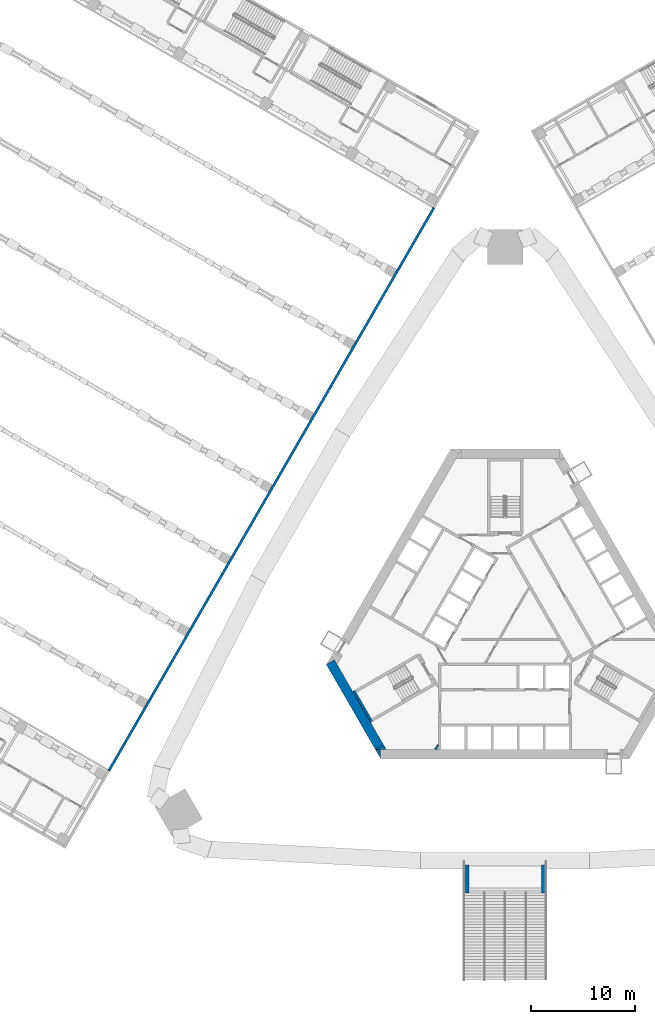
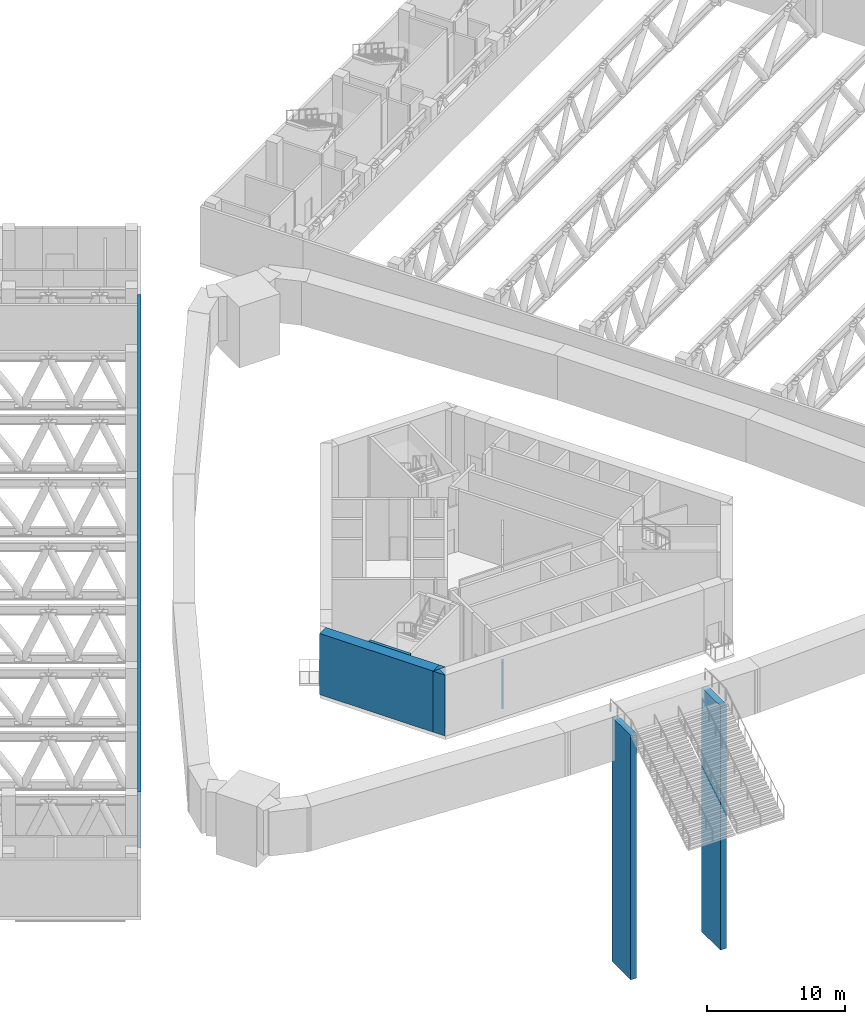
# One storey, part 15 of 37: 8 walls.
"""IFC4 building model written with IfcOpenShell, lengths in metres."""

from ifc_helpers import new_model, si_unit, direction, frame, frame_2d, origin, place, context, subcontext, project, spatial, polyline, rectangle, outline, extrude, material, layer, layer_set, type_object, element, save


model = new_model("IFC4")

# Units and contexts
model_context = context("Model", 3, precision=1e-05, world=origin(), true_north=direction((0.0, 1.0)))
body_context = subcontext(model_context, "Body", "Model", "MODEL_VIEW")
ifc_project = project(units=[si_unit("LENGTHUNIT", "METRE"), si_unit("AREAUNIT", "SQUARE_METRE"), si_unit("VOLUMEUNIT", "CUBIC_METRE"), si_unit("PLANEANGLEUNIT", "RADIAN"), si_unit("MASSUNIT", "GRAM", prefix="KILO")], contexts=[model_context])

# Site, building, storey
site_placement = place(None, origin())
site = spatial("IfcSite", under=ifc_project, at=site_placement, CompositionType="ELEMENT")
building_placement = place(site_placement, origin())
building = spatial("IfcBuilding", under=site, at=building_placement, Name="Mestral Congress Tower", CompositionType="ELEMENT")
storey_placement = place(building_placement, frame((0.0, 0.0, 16.199951171875)))
storey = spatial("IfcBuildingStorey", under=building, at=storey_placement, Name="L03", CompositionType="ELEMENT", Elevation=16.199951171875)

# Walls
ifc_material_1 = material(Name="Fire-rated board partition")
ifc_layer_1 = layer(ifc_material_1, 0.14990234375)
ifc_layer_set_1 = layer_set([ifc_layer_1], Name="Fire-rated board partition")
wall_type_1 = type_object("IfcWallType", Name="Core partition 150", PredefinedType="PARTITIONING", material=ifc_layer_set_1)
wall_1_placement = place(storey_placement, frame((-6.707763671875, -12.068115234375, 0.0), z_axis=(0.0, 0.0, 1.0), x_axis=(0.500000789788, 0.8660249478, 0.0)))
element("IfcWall", 1, at=wall_1_placement, inside=storey, type_object=wall_type_1, Name="L03 core wall", PredefinedType="PARTITIONING", context=body_context, shape_type="SweptSolid", body=[
    extrude(rectangle(XDim=0.45556640625, YDim=0.14990234375, at=frame_2d((0.227783203125, 0.0))), origin(), (0.0, 0.0, 1.0), 4.10009765625),
])
ifc_material_2 = material(Name="Concrete C60/75", Category="concrete")
ifc_layer_2 = layer(ifc_material_2, 0.89990234375)
ifc_layer_set_2 = layer_set([ifc_layer_2], Name="Concrete C60/75")
wall_type_2 = type_object("IfcWallType", Name="Core wall RC 900", PredefinedType="SOLIDWALL", material=ifc_layer_set_2)
placement = place(storey_placement, origin())
element("IfcWall", 2, at=placement, inside=storey, type_object=wall_type_2, Name="L03 core wall", PredefinedType="SOLIDWALL", context=body_context, shape_type="SweptSolid", body=[
    extrude(outline(polyline([(-12.528564453125, -12.10009765625), (-12.0205078125, -12.10009765625), (-12.0205078125, -12.97998046875), (-12.528564453125, -12.10009765625)])), origin(), (0.0, 0.0, 1.0), 5.400146484375),
])
wall_3_placement = place(storey_placement, frame((-12.134033203125, -11.88330078125, 0.0), z_axis=(0.0, 0.0, 1.0), x_axis=(-0.500005339912, 0.866022320763, 0.0)))
element("IfcWall", 3, at=wall_3_placement, inside=storey, type_object=wall_type_2, Name="L03 core wall", PredefinedType="SOLIDWALL", context=body_context, shape_type="SweptSolid", body=[
    extrude(rectangle(XDim=9.48779296875, YDim=0.89990234375, at=frame_2d((4.743896484375, 0.0))), origin(), (0.0, 0.0, 1.0), 5.400146484375),
])
element("IfcWall", 4, at=placement, inside=storey, type_object=wall_type_2, Name="L03 core wall", PredefinedType="SOLIDWALL", context=body_context, shape_type="SweptSolid", body=[
    extrude(outline(polyline([(-11.4892578125, -12.10009765625), (-12.50537109375, -12.10009765625), (-11.743408203125, -11.66015625), (-11.4892578125, -12.10009765625)])), origin(), (0.0, 0.0, 1.0), 5.400146484375),
])
ifc_material_3 = material(Name="Precast concrete C40/50 with limestone facing", Category="masonry")
ifc_layer_3 = layer(ifc_material_3, 0.25)
ifc_layer_set_3 = layer_set([ifc_layer_3], Name="Precast concrete C40/50 with limestone facing")
wall_type_3 = type_object("IfcWallType", Name="Podium external wall 250", PredefinedType="SOLIDWALL", material=ifc_layer_set_3)
wall_5_placement = place(storey_placement, frame((-6.875, 40.197998046875, 0.0), z_axis=(0.0, 0.0, 1.0), x_axis=(-0.500000527961, -0.866025098966, 0.0)))
element("IfcWall", 5, at=wall_5_placement, inside=storey, type_object=wall_type_3, Name="L03 external wall", PredefinedType="SOLIDWALL", context=body_context, shape_type="SweptSolid", body=[
    extrude(rectangle(XDim=62.75, YDim=0.25, at=frame_2d((31.375, 0.0))), origin(), (0.0, 0.0, 1.0), 5.0),
])
ifc_material_4 = material(Name="Concrete C35/45", Category="concrete")
ifc_layer_4 = layer(ifc_material_4, 0.5)
ifc_layer_set_4 = layer_set([ifc_layer_4], Name="Concrete C35/45")
wall_type_4 = type_object("IfcWallType", Name="Stair support wall 500 C35/45", PredefinedType="SOLIDWALL", material=ifc_layer_set_4)
for number, where, z_axis, x_axis, name in (
    (6, (-3.75, -25.927978515625, -16.5), (0.0, 0.0, 1.0), (0.0, 1.0, 0.0), "WL-TERR-0-W"),
    (7, (3.75, -25.927978515625, -16.5), (0.0, 0.0, 1.0), (0.0, 1.0, 0.0), "WL-TERR-0-E"),
):
    element("IfcWall", number, at=place(storey_placement, frame(where, z_axis=z_axis, x_axis=x_axis)), inside=storey, type_object=wall_type_4, Name=name, PredefinedType="SOLIDWALL", context=body_context, shape_type="SweptSolid", body=[
        extrude(rectangle(XDim=2.699951171875, YDim=0.5, at=frame_2d((1.35009765625, 0.0))), origin(), (0.0, 0.0, 1.0), 21.60009765625),
    ])
ifc_layer_5 = layer(ifc_material_2, 0.25)
ifc_layer_set_5 = layer_set([ifc_layer_5], Name="Concrete C60/75")
wall_type_5 = type_object("IfcWallType", Name="Stair wall RC 250", PredefinedType="SOLIDWALL", material=ifc_layer_set_5)
wall_6_placement = place(storey_placement, frame((-12.885498046875, -9.431396484375, 0.0), z_axis=(0.0, 0.0, 1.0), x_axis=(-0.500020560727, 0.866013532718, 0.0)))
element("IfcWall", 8, at=wall_6_placement, inside=storey, type_object=wall_type_5, Name="L03 core wall", PredefinedType="SOLIDWALL", context=body_context, shape_type="SweptSolid", body=[
    extrude(rectangle(XDim=3.449951171875, YDim=0.25, at=frame_2d((1.72509765625, 0.0))), origin(), (0.0, 0.0, 1.0), 5.400146484375),
])

save(model, "model.ifc")
